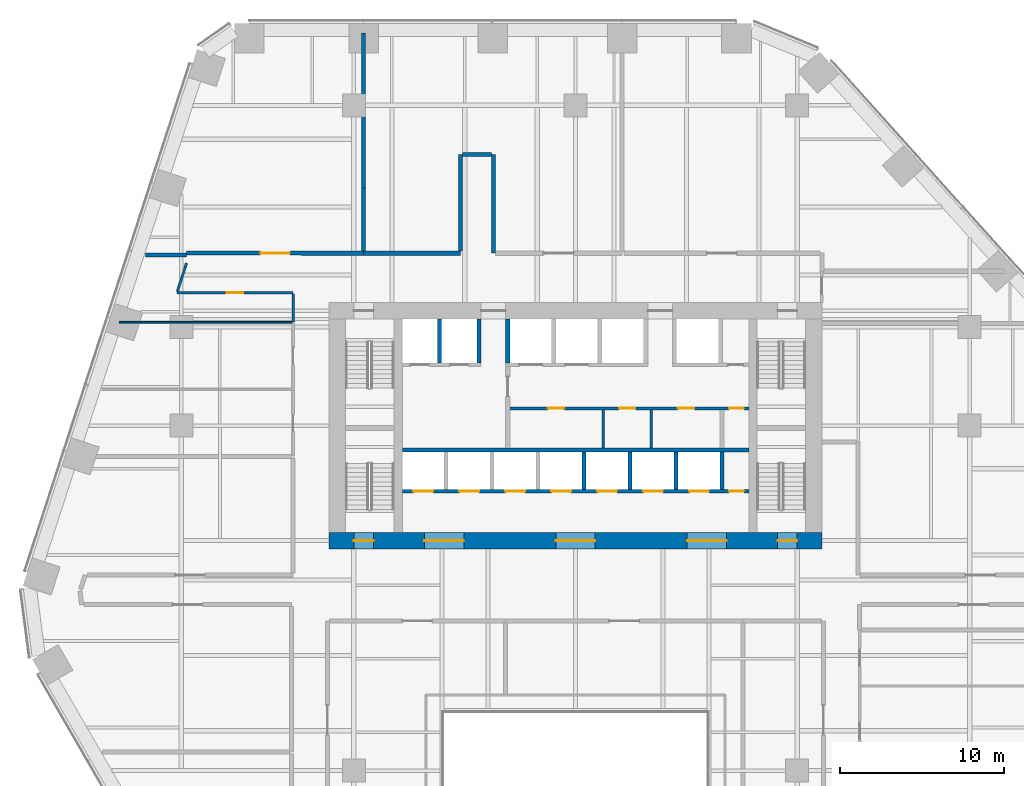
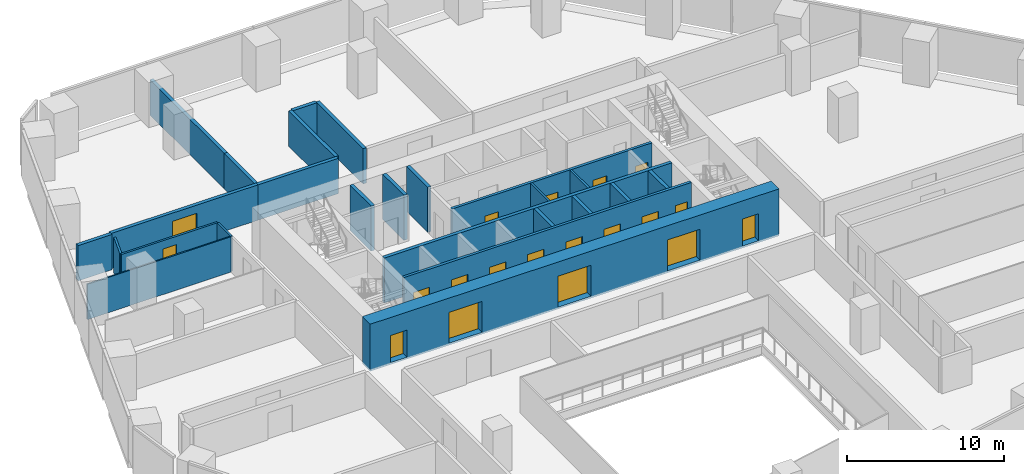
# One storey, part 15 of 20: 25 walls, 19 doors, 19 openings.
"""IFC4 building model written with IfcOpenShell, lengths in metres."""

import ifcopenshell
import ifcopenshell.guid

model = None  # the IFC model being written
_history = None  # IfcOwnerHistory: only IFC2X3 demands one
_inside = {}  # id of a spatial element -> (the spatial element, [elements in it])
_under = {}  # id of a project, library or spatial element -> (it, [spatial elements below it])
_declared = {}  # id of a project -> (the project, [libraries it declares])
_typed = {}  # id of a type object -> (the type object, [elements of that type])
_made_of = {}  # id of a material, layer set ... -> (it, [elements and type objects made of it])


def new_model(schema):
    """Start an empty IFC model of exactly this schema.

    Asked for "IFC4X3", IfcOpenShell would pick the latest addendum, in which some entities
    have other attributes; the version numbers below select the first issue.
    IFC2X3 requires an IfcOwnerHistory on every rooted entity: one is made here for all.
    """
    global model, _history
    if schema == "IFC4X3":
        model = ifcopenshell.file(schema_version=(4, 3, 0, 0))
    else:
        model = ifcopenshell.file(schema=schema)
    _inside.clear()
    _under.clear()
    _declared.clear()
    _typed.clear()
    _made_of.clear()
    _history = None
    if model.schema == "IFC2X3":
        org = make("IfcOrganization", Name="unknown")
        user = make(
            "IfcPersonAndOrganization",
            ThePerson=make("IfcPerson", FamilyName="unknown"),
            TheOrganization=org,
        )
        app = make(
            "IfcApplication",
            ApplicationDeveloper=org,
            Version="unknown",
            ApplicationFullName="unknown",
            ApplicationIdentifier="unknown",
        )
        _history = make(
            "IfcOwnerHistory",
            OwningUser=user,
            OwningApplication=app,
            ChangeAction="ADDED",
            CreationDate=0,
        )
    return model


def make(cls, **values):
    """One entity of the class cls with the attributes given. An attribute that is None is left unset."""
    return model.create_entity(
        cls, **{name: value for name, value in values.items() if value is not None}
    )


def rooted(cls, **values):
    """An entity with a GlobalId (a new one), such as an element, a storey or a relation."""
    return make(cls, GlobalId=ifcopenshell.guid.new(), OwnerHistory=_history, **values)


def si_unit(unit_type, name, prefix=None):
    """IfcSIUnit, for example si_unit("LENGTHUNIT", "METRE", prefix="MILLI")."""
    return make("IfcSIUnit", UnitType=unit_type, Prefix=prefix, Name=name)


def assignment(units):
    """IfcUnitAssignment: the units of a project."""
    return None if units is None else make("IfcUnitAssignment", Units=units)


def point(xyz):
    """IfcCartesianPoint."""
    return None if xyz is None else make("IfcCartesianPoint", Coordinates=xyz)


def direction(xyz):
    """IfcDirection."""
    return None if xyz is None else make("IfcDirection", DirectionRatios=xyz)


def frame(location, z_axis=None, x_axis=None):
    """IfcAxis2Placement3D, a coordinate frame: its origin and axes. An axis left out is left unset."""
    return make(
        "IfcAxis2Placement3D",
        Location=point(location),
        Axis=direction(z_axis),
        RefDirection=direction(x_axis),
    )


def frame_2d(location, x_axis=None):
    """IfcAxis2Placement2D, a coordinate frame in the plane: its origin and x axis."""
    return make(
        "IfcAxis2Placement2D", Location=point(location), RefDirection=direction(x_axis)
    )


def origin():
    """The frame at (0, 0, 0) with its axes left unset."""
    return frame((0.0, 0.0, 0.0))


def place(relative_to, where):
    """IfcLocalPlacement: puts the frame where relative to a parent placement (None: the world)."""
    return make(
        "IfcLocalPlacement", PlacementRelTo=relative_to, RelativePlacement=where
    )


def context(
    kind, dimensions, precision=None, world=None, true_north=None, identifier=None
):
    """IfcGeometricRepresentationContext, for example the 3D "Model" context."""
    return make(
        "IfcGeometricRepresentationContext",
        ContextIdentifier=identifier,
        ContextType=kind,
        CoordinateSpaceDimension=dimensions,
        Precision=precision,
        WorldCoordinateSystem=world,
        TrueNorth=true_north,
    )


def subcontext(parent, identifier, kind, view, scale=None):
    """IfcGeometricRepresentationSubContext, for example "Body" below "Model"."""
    return make(
        "IfcGeometricRepresentationSubContext",
        ContextIdentifier=identifier,
        ContextType=kind,
        ParentContext=parent,
        TargetScale=scale,
        TargetView=view,
    )


def project(units=None, contexts=None):
    """IfcProject with its units and contexts."""
    return rooted(
        "IfcProject",
        Name="project",
        RepresentationContexts=contexts,
        UnitsInContext=assignment(units),
    )


def spatial(cls, under=None, at=None, **own):
    """A site, building, storey or space (cls), placed at a placement, below another one or the project."""
    s = rooted(cls, ObjectPlacement=at, **own)
    if under is not None:
        _under.setdefault(under.id(), (under, []))[1].append(s)
    return s


def profile(cls, at=None, kind="AREA", **sizes):
    """A parametric profile (cls). Its sizes go by their IFC names, for example OverallWidth=200.0."""
    return make(cls, ProfileType=kind, Position=at, **sizes)


def rectangle(**sizes):
    """IfcRectangleProfileDef."""
    return profile("IfcRectangleProfileDef", **sizes)


def extrude(swept, where, along, depth):
    """IfcExtrudedAreaSolid: the profile swept, set in the frame where, extruded along a direction by depth."""
    return make(
        "IfcExtrudedAreaSolid",
        SweptArea=swept,
        Position=where,
        ExtrudedDirection=direction(along),
        Depth=depth,
    )


def shape(context_of_items, identifier, shape_type, items):
    """IfcShapeRepresentation: the items that make up one representation, for example the "Body"."""
    return make(
        "IfcShapeRepresentation",
        ContextOfItems=context_of_items,
        RepresentationIdentifier=identifier,
        RepresentationType=shape_type,
        Items=items,
    )


def material(Name=None, Category=None):
    """IfcMaterial."""
    return make("IfcMaterial", Name=Name, Category=Category)


def layer(
    of_material, thickness, ventilated=None, Name=None, Category=None, Priority=None
):
    """IfcMaterialLayer: one layer of a wall or slab, of a material (None: an air gap)."""
    return make(
        "IfcMaterialLayer",
        Material=of_material,
        LayerThickness=thickness,
        IsVentilated=ventilated,
        Name=Name,
        Category=Category,
        Priority=Priority,
    )


def layer_set(layers, Name=None):
    """IfcMaterialLayerSet."""
    return make("IfcMaterialLayerSet", MaterialLayers=layers, LayerSetName=Name)


def made_of(thing, what):
    """Note that an element or type object is made of a material, layer set ...; save() writes the relation."""
    if what is not None:
        _made_of.setdefault(what.id(), (what, []))[1].append(thing)
    return thing


def type_object(cls, material=None, **own):
    """A type object (cls), such as IfcWallType, which elements share."""
    return made_of(rooted(cls, **own), material)


def element(
    cls,
    number,
    at=None,
    inside=None,
    cuts=None,
    type_object=None,
    material=None,
    context=None,
    identifier="Body",
    shape_type=None,
    held_by="IfcProductDefinitionShape",
    body=None,
    shapes=None,
    **own,
):
    """One element of the class cls, such as IfcWall. Its Tag is "e" and its number.

    at: its placement. inside: the storey or other place that contains it. cuts: it is an
    opening in that element (IfcRelVoidsElement). A single representation is given by context,
    identifier, shape_type and body (its items); several are given by shapes. held_by: the class
    of the entity that holds the representations. save() writes the other relations.
    """
    e = rooted(cls, Tag="e%d" % number, ObjectPlacement=at, **own)
    if body is not None:
        shapes = [shape(context, identifier, shape_type, body)]
    if shapes is not None:
        e.Representation = make(held_by, Representations=shapes)
    if inside is not None:
        _inside.setdefault(inside.id(), (inside, []))[1].append(e)
    if cuts is not None:
        rooted(
            "IfcRelVoidsElement", RelatingBuildingElement=cuts, RelatedOpeningElement=e
        )
    if type_object is not None:
        _typed.setdefault(type_object.id(), (type_object, []))[1].append(e)
    return made_of(e, material)


def fill(opening, filler):
    """IfcRelFillsElement: the door or window that sits in an opening."""
    return rooted(
        "IfcRelFillsElement",
        RelatingOpeningElement=opening,
        RelatedBuildingElement=filler,
    )


def aggregate(whole, parts):
    """IfcRelAggregates: a whole, such as a stair, and the parts it consists of."""
    return rooted("IfcRelAggregates", RelatingObject=whole, RelatedObjects=parts)


def save(model, path):
    """Write the relations noted so far, then the file.

    IfcRelAggregates (storeys below a building ...), IfcRelContainedInSpatialStructure (elements
    in a storey), IfcRelDefinesByType, IfcRelAssociatesMaterial and IfcRelDeclares: one each for
    every whole, place, type object, material and project.
    """
    for whole, parts in _under.values():
        aggregate(whole, parts)
    for where, things in _inside.values():
        rooted(
            "IfcRelContainedInSpatialStructure",
            RelatedElements=things,
            RelatingStructure=where,
        )
    for kind, things in _typed.values():
        rooted("IfcRelDefinesByType", RelatedObjects=things, RelatingType=kind)
    for what, things in _made_of.values():
        rooted("IfcRelAssociatesMaterial", RelatedObjects=things, RelatingMaterial=what)
    for by, libraries in _declared.values():
        rooted("IfcRelDeclares", RelatingContext=by, RelatedDefinitions=libraries)
    model.write(path)


model = new_model("IFC4")

# Units and contexts
model_context = context("Model", 3, precision=1e-05, world=origin(), true_north=direction((0.0, 1.0)))
body_context = subcontext(model_context, "Body", "Model", "MODEL_VIEW")
ifc_project = project(units=[si_unit("LENGTHUNIT", "METRE"), si_unit("AREAUNIT", "SQUARE_METRE"), si_unit("VOLUMEUNIT", "CUBIC_METRE"), si_unit("PLANEANGLEUNIT", "RADIAN"), si_unit("MASSUNIT", "GRAM", prefix="KILO")], contexts=[model_context])

# Site, building, storey
site_placement = place(None, origin())
site = spatial("IfcSite", under=ifc_project, at=site_placement, CompositionType="ELEMENT")
building_placement = place(site_placement, origin())
building = spatial("IfcBuilding", under=site, at=building_placement, Name="Isthmus Gate Tower", CompositionType="ELEMENT")
storey_placement = place(building_placement, frame((0.0, 0.0, 61.550048828125)))
storey = spatial("IfcBuildingStorey", under=building, at=storey_placement, Name="L13", CompositionType="ELEMENT", Elevation=61.550048828125)

# Wall
ifc_material_1 = material(Name="Double-leaf acoustic stud wall, fire-rated", Category="gypsum")
ifc_layer_1 = layer(ifc_material_1, 0.25)
ifc_layer_set_1 = layer_set([ifc_layer_1], Name="ACOUSTIC WALL 250 60 MIN")
wall_type_1 = type_object("IfcWallType", Name="ACOUSTIC WALL 250 60 MIN", PredefinedType="PARTITIONING", material=ifc_layer_set_1)
wall_1_placement = place(storey_placement, frame((-5.0, 24.0, 0.0), z_axis=(0.0, 0.0, 1.0), x_axis=(0.0, -1.0, 0.0)))
element("IfcWall", 1, at=wall_1_placement, inside=storey, type_object=wall_type_1, Name="L13 Acoustic Wall 250 60 Min", PredefinedType="PARTITIONING", context=body_context, shape_type="SweptSolid", body=[
    extrude(rectangle(XDim=6.0, YDim=0.25, at=frame_2d((3.0, 0.0))), origin(), (0.0, 0.0, 1.0), 2.7412109375),
])

# Wall, opening, door
wall_2_placement = place(storey_placement, frame((-23.68310546875, 18.001953125, 0.0), z_axis=(0.0, 0.0, 1.0), x_axis=(0.999999983581, -0.000181212763, 0.0)))
wall_2 = element("IfcWall", 2, at=wall_2_placement, inside=storey, type_object=wall_type_1, Name="L13 Acoustic Wall 250 60 Min", PredefinedType="PARTITIONING", context=body_context, shape_type="SweptSolid", body=[
    extrude(rectangle(XDim=10.778076171875, YDim=0.25, at=frame_2d((5.38916015625, 0.0))), origin(), (0.0, 0.0, 1.0), 2.7412109375),
])
opening_1_placement = place(wall_2_placement, frame((4.489013671875, 0.0, 0.0)))
opening_1 = element("IfcOpeningElement", 3, at=opening_1_placement, cuts=wall_2, Name="Opening DT-T1C-01", PredefinedType="OPENING", context=body_context, shape_type="SweptSolid", body=[
    extrude(rectangle(XDim=1.800048828125, YDim=2.10009765625, at=frame_2d((0.89990234375, 1.050048828125))), frame((0.0, 0.135009765625, 0.0), z_axis=(0.0, -1.0, 0.0), x_axis=(1.0, 0.0, 0.0)), (0.0, 0.0, 1.0), 0.27001953125),
])
ifc_material_2 = material(Name="Solid core timber door leaf, fire-rated", Category="wood")
door_type_1 = type_object("IfcDoorType", Name="FIRE DOOR ACOUSTIC ROOM 1800 X 2100 60 MIN", OperationType="DOUBLE_DOOR_DOUBLE_SWING", PredefinedType="DOOR", material=ifc_material_2)
door_1_placement = place(opening_1_placement, origin())
door_1 = element("IfcDoor", 4, at=door_1_placement, inside=storey, type_object=door_type_1, Name="L13 room door", OperationType="DOUBLE_DOOR_DOUBLE_SWING", OverallHeight=2.10009765625, OverallWidth=1.800048828125, PredefinedType="DOOR", context=body_context, shape_type="SweptSolid", body=[
    extrude(rectangle(XDim=1.800048828125, YDim=2.10009765625, at=frame_2d((0.89990234375, 1.050048828125))), frame((0.0, 0.02490234375, 0.0), z_axis=(0.0, -1.0, 0.0), x_axis=(1.0, 0.0, 0.0)), (0.0, 0.0, 1.0), 0.050048828125),
])
fill(opening_1, door_1)

# Walls
wall_3_placement = place(storey_placement, frame((-12.906982421875, 21.968017578125, 0.0), z_axis=(0.0, 0.0, 1.0), x_axis=(0.0, 1.0, 0.0)))
element("IfcWall", 5, at=wall_3_placement, inside=storey, type_object=wall_type_1, Name="L13 Acoustic Wall 250 60 Min", PredefinedType="PARTITIONING", context=body_context, shape_type="SweptSolid", body=[
    extrude(rectangle(XDim=9.431884765625, YDim=0.25, at=frame_2d((4.7158203125, 0.0))), origin(), (0.0, 0.0, 1.0), 2.7412109375),
])
wall_4_placement = place(storey_placement, frame((-26.169921875, 17.8828125, 0.0), z_axis=(0.0, 0.0, 1.0), x_axis=(0.999999763866, -0.000687217588, 0.0)))
element("IfcWall", 6, at=wall_4_placement, inside=storey, type_object=wall_type_1, Name="L13 Acoustic Wall 250 60 Min", PredefinedType="PARTITIONING", context=body_context, shape_type="SweptSolid", body=[
    extrude(rectangle(XDim=2.48681640625, YDim=0.25, at=frame_2d((1.243408203125, 0.0))), origin(), (0.0, 0.0, 1.0), 2.7412109375),
])
wall_5_placement = place(storey_placement, frame((-12.905029296875, 18.0, 0.0), z_axis=(0.0, 0.0, 1.0), x_axis=(1.0, 0.0, 0.0)))
element("IfcWall", 7, at=wall_5_placement, inside=storey, type_object=wall_type_1, Name="L13 Acoustic Wall 250 60 Min", PredefinedType="PARTITIONING", context=body_context, shape_type="SweptSolid", body=[
    extrude(rectangle(XDim=5.905029296875, YDim=0.25, at=frame_2d((2.95263671875, 0.0))), origin(), (0.0, 0.0, 1.0), 2.7412109375),
])
wall_6_placement = place(storey_placement, frame((-7.0, 18.125, 0.0), z_axis=(0.0, 0.0, 1.0), x_axis=(0.0, 1.0, 0.0)))
element("IfcWall", 8, at=wall_6_placement, inside=storey, type_object=wall_type_1, Name="L13 Acoustic Wall 250 60 Min", PredefinedType="PARTITIONING", context=body_context, shape_type="SweptSolid", body=[
    extrude(rectangle(XDim=5.875, YDim=0.25, at=frame_2d((2.9375, 0.0))), origin(), (0.0, 0.0, 1.0), 2.7412109375),
])
wall_7_placement = place(storey_placement, frame((-6.875, 24.0, 0.0), z_axis=(0.0, 0.0, 1.0), x_axis=(1.0, 0.0, 0.0)))
element("IfcWall", 9, at=wall_7_placement, inside=storey, type_object=wall_type_1, Name="L13 Acoustic Wall 250 60 Min", PredefinedType="PARTITIONING", context=body_context, shape_type="SweptSolid", body=[
    extrude(rectangle(XDim=1.75, YDim=0.25, at=frame_2d((0.875, 0.0))), origin(), (0.0, 0.0, 1.0), 2.7412109375),
])
wall_8_placement = place(storey_placement, frame((-12.906982421875, 21.968017578125, 0.0), z_axis=(0.0, 0.0, 1.0), x_axis=(0.000508226858, -0.999999870853, 0.0)))
element("IfcWall", 10, at=wall_8_placement, inside=storey, type_object=wall_type_1, Name="L13 Acoustic Wall 250 60 Min", PredefinedType="PARTITIONING", context=body_context, shape_type="SweptSolid", body=[
    extrude(rectangle(XDim=3.843017578125, YDim=0.25, at=frame_2d((1.92138671875, 0.0))), origin(), (0.0, 0.0, 1.0), 2.7412109375),
])

# Wall, opening, door
ifc_material_3 = material(Name="Gypsum board on steel studs, fire-rated", Category="steel")
ifc_layer_2 = layer(ifc_material_3, 0.14990234375)
ifc_layer_set_2 = layer_set([ifc_layer_2], Name="CORRIDOR WALL 150 60 MIN")
wall_type_2 = type_object("IfcWallType", Name="CORRIDOR WALL 150 60 MIN", PredefinedType="PARTITIONING", material=ifc_layer_set_2)
wall_9_placement = place(storey_placement, frame((-17.199951171875, 15.60009765625, 0.0), z_axis=(0.0, 0.0, 1.0), x_axis=(-1.0, 0.0, 0.0)))
wall_9 = element("IfcWall", 11, at=wall_9_placement, inside=storey, type_object=wall_type_2, Name="L13 Corridor Wall 150 60 Min", PredefinedType="PARTITIONING", context=body_context, shape_type="SweptSolid", body=[
    extrude(rectangle(XDim=7.068115234375, YDim=0.14990234375, at=frame_2d((3.5341796875, 0.0))), origin(), (0.0, 0.0, 1.0), 2.7412109375),
])
opening_2_placement = place(wall_9_placement, frame((3.033935546875, 0.0, 0.0)))
opening_2 = element("IfcOpeningElement", 12, at=opening_2_placement, cuts=wall_9, Name="Opening DT-T1C-04", PredefinedType="OPENING", context=body_context, shape_type="SweptSolid", body=[
    extrude(rectangle(XDim=1.0, YDim=2.10009765625, at=frame_2d((0.5, 1.050048828125))), frame((0.0, 0.0849609375, 0.0), z_axis=(0.0, -1.0, 0.0), x_axis=(1.0, 0.0, 0.0)), (0.0, 0.0, 1.0), 0.169921875),
])
ifc_material_4 = material(Name="Solid core timber door leaf, fire-rated", Category="wood")
door_type_2 = type_object("IfcDoorType", Name="FIRE DOOR ROOM 1000 X 2100 60 MIN", OperationType="SINGLE_SWING_LEFT", PredefinedType="DOOR", material=ifc_material_4)
door_2_placement = place(opening_2_placement, origin())
door_2 = element("IfcDoor", 13, at=door_2_placement, inside=storey, type_object=door_type_2, Name="L13 room door", OperationType="SINGLE_SWING_RIGHT", OverallHeight=2.10009765625, OverallWidth=1.0, PredefinedType="DOOR", context=body_context, shape_type="SweptSolid", body=[
    extrude(rectangle(XDim=1.0, YDim=2.10009765625, at=frame_2d((0.5, 1.050048828125))), frame((0.0, 0.02490234375, 0.0), z_axis=(0.0, -1.0, 0.0), x_axis=(1.0, 0.0, 0.0)), (0.0, 0.0, 1.0), 0.050048828125),
])
fill(opening_2, door_2)

# Walls
wall_10_placement = place(storey_placement, frame((-24.244873046875, 15.67138671875, 0.0), z_axis=(0.0, 0.0, 1.0), x_axis=(0.309086072338, 0.951034068731, 0.0)))
element("IfcWall", 14, at=wall_10_placement, inside=storey, type_object=wall_type_2, Name="L13 Corridor Wall 150 60 Min", PredefinedType="PARTITIONING", context=body_context, shape_type="SweptSolid", body=[
    extrude(rectangle(XDim=1.817626953125, YDim=0.14990234375, at=frame_2d((0.90869140625, 0.0))), origin(), (0.0, 0.0, 1.0), 2.7412109375),
])
wall_11_placement = place(storey_placement, frame((-17.199951171875, 13.799072265625, 0.0), z_axis=(0.0, 0.0, 1.0), x_axis=(0.0, 1.0, 0.0)))
element("IfcWall", 15, at=wall_11_placement, inside=storey, type_object=wall_type_2, Name="L13 Corridor Wall 150 60 Min", PredefinedType="PARTITIONING", context=body_context, shape_type="SweptSolid", body=[
    extrude(rectangle(XDim=1.725830078125, YDim=0.14990234375, at=frame_2d((0.86279296875, 0.0))), origin(), (0.0, 0.0, 1.0), 2.7412109375),
])

# Wall, openings, doors
ifc_material_5 = material(Name="Concrete f'c 70 MPa", Category="concrete")
ifc_layer_3 = layer(ifc_material_5, 1.0)
ifc_layer_set_3 = layer_set([ifc_layer_3], Name="RC CORE WALL 1000 F'C 70")
wall_type_3 = type_object("IfcWallType", Name="RC CORE WALL 1000 F'C 70", PredefinedType="SOLIDWALL", material=ifc_layer_set_3)
wall_12_placement = place(storey_placement, frame((-15.0, 0.5, -0.150146484375), z_axis=(0.0, 0.0, 1.0), x_axis=(1.0, 0.0, 0.0)))
wall_12 = element("IfcWall", 16, at=wall_12_placement, inside=storey, type_object=wall_type_3, Name="str-corewall-L13-S", PredefinedType="SOLIDWALL", context=body_context, shape_type="SweptSolid", body=[
    extrude(rectangle(XDim=30.0, YDim=1.0, at=frame_2d((15.0, 0.0))), origin(), (0.0, 0.0, 1.0), 3.650146484375),
])
opening_3_placement = place(wall_12_placement, frame((5.800048828125, 0.0, 0.14990234375)))
opening_3 = element("IfcOpeningElement", 17, at=opening_3_placement, cuts=wall_12, Name="Opening DC-A02-08", PredefinedType="OPENING", context=body_context, shape_type="SweptSolid", body=[
    extrude(rectangle(XDim=2.39990234375, YDim=2.39990234375, at=frame_2d((1.199951171875, 1.199951171875))), frame((0.0, 0.510009765625, 0.0), z_axis=(0.0, -1.0, 0.0), x_axis=(1.0, 0.0, 0.0)), (0.0, 0.0, 1.0), 1.02001953125),
])
opening_4_placement = place(wall_12_placement, frame((13.800048828125, 0.0, 0.14990234375)))
opening_4 = element("IfcOpeningElement", 18, at=opening_4_placement, cuts=wall_12, Name="Opening DC-A02-09", PredefinedType="OPENING", context=body_context, shape_type="SweptSolid", body=[
    extrude(rectangle(XDim=2.39990234375, YDim=2.39990234375, at=frame_2d((1.199951171875, 1.199951171875))), frame((0.0, 0.510009765625, 0.0), z_axis=(0.0, -1.0, 0.0), x_axis=(1.0, 0.0, 0.0)), (0.0, 0.0, 1.0), 1.02001953125),
])
opening_5_placement = place(wall_12_placement, frame((21.800048828125, 0.0, 0.14990234375)))
opening_5 = element("IfcOpeningElement", 19, at=opening_5_placement, cuts=wall_12, Name="Opening DC-A02-10", PredefinedType="OPENING", context=body_context, shape_type="SweptSolid", body=[
    extrude(rectangle(XDim=2.39990234375, YDim=2.39990234375, at=frame_2d((1.199951171875, 1.199951171875))), frame((0.0, 0.510009765625, 0.0), z_axis=(0.0, -1.0, 0.0), x_axis=(1.0, 0.0, 0.0)), (0.0, 0.0, 1.0), 1.02001953125),
])
opening_6_placement = place(wall_12_placement, frame((1.5, 0.0, 0.14990234375)))
opening_6 = element("IfcOpeningElement", 20, at=opening_6_placement, cuts=wall_12, Name="Opening DC-A02-15", PredefinedType="OPENING", context=body_context, shape_type="SweptSolid", body=[
    extrude(rectangle(XDim=1.199951171875, YDim=2.10009765625, at=frame_2d((0.60009765625, 1.050048828125))), frame((0.0, 0.510009765625, 0.0), z_axis=(0.0, -1.0, 0.0), x_axis=(1.0, 0.0, 0.0)), (0.0, 0.0, 1.0), 1.02001953125),
])
opening_7_placement = place(wall_12_placement, frame((27.300048828125, 0.0, 0.14990234375)))
opening_7 = element("IfcOpeningElement", 21, at=opening_7_placement, cuts=wall_12, Name="Opening DC-A02-16", PredefinedType="OPENING", context=body_context, shape_type="SweptSolid", body=[
    extrude(rectangle(XDim=1.199951171875, YDim=2.10009765625, at=frame_2d((0.60009765625, 1.050048828125))), frame((0.0, 0.510009765625, 0.0), z_axis=(0.0, -1.0, 0.0), x_axis=(1.0, 0.0, 0.0)), (0.0, 0.0, 1.0), 1.02001953125),
])
ifc_material_6 = material(Name="Laminated safety glass in steel frame, fire-rated", Category="steel")
door_type_3 = type_object("IfcDoorType", Name="LOBBY ENTRANCE FIRE DOOR 2400 X 2400 60 MIN", OperationType="DOUBLE_DOOR_DOUBLE_SWING", PredefinedType="DOOR", material=ifc_material_6)
door_3_placement = place(opening_3_placement, origin())
door_3 = element("IfcDoor", 22, at=door_3_placement, inside=storey, type_object=door_type_3, Name="Lobby Entrance PS-W", OperationType="DOUBLE_DOOR_DOUBLE_SWING", OverallHeight=2.39990234375, OverallWidth=2.39990234375, PredefinedType="DOOR", context=body_context, shape_type="SweptSolid", body=[
    extrude(rectangle(XDim=2.39990234375, YDim=2.39990234375, at=frame_2d((1.199951171875, 1.199951171875))), frame((0.0, 0.02490234375, 0.0), z_axis=(0.0, -1.0, 0.0), x_axis=(1.0, 0.0, 0.0)), (0.0, 0.0, 1.0), 0.050048828125),
])
fill(opening_3, door_3)
door_4_placement = place(opening_4_placement, origin())
door_4 = element("IfcDoor", 23, at=door_4_placement, inside=storey, type_object=door_type_3, Name="Lobby Entrance PS-C", OperationType="DOUBLE_DOOR_DOUBLE_SWING", OverallHeight=2.39990234375, OverallWidth=2.39990234375, PredefinedType="DOOR", context=body_context, shape_type="SweptSolid", body=[
    extrude(rectangle(XDim=2.39990234375, YDim=2.39990234375, at=frame_2d((1.199951171875, 1.199951171875))), frame((0.0, 0.02490234375, 0.0), z_axis=(0.0, -1.0, 0.0), x_axis=(1.0, 0.0, 0.0)), (0.0, 0.0, 1.0), 0.050048828125),
])
fill(opening_4, door_4)
door_5_placement = place(opening_5_placement, origin())
door_5 = element("IfcDoor", 24, at=door_5_placement, inside=storey, type_object=door_type_3, Name="Lobby Entrance PS-E", OperationType="DOUBLE_DOOR_DOUBLE_SWING", OverallHeight=2.39990234375, OverallWidth=2.39990234375, PredefinedType="DOOR", context=body_context, shape_type="SweptSolid", body=[
    extrude(rectangle(XDim=2.39990234375, YDim=2.39990234375, at=frame_2d((1.199951171875, 1.199951171875))), frame((0.0, 0.02490234375, 0.0), z_axis=(0.0, -1.0, 0.0), x_axis=(1.0, 0.0, 0.0)), (0.0, 0.0, 1.0), 0.050048828125),
])
fill(opening_5, door_5)
ifc_material_7 = material(Name="Steel door leaf, fire-rated", Category="steel")
door_type_4 = type_object("IfcDoorType", Name="STAIR FIRE DOOR 1200 X 2100 90 MIN", OperationType="SINGLE_SWING_LEFT", PredefinedType="DOOR", material=ifc_material_7)
door_6_placement = place(opening_6_placement, origin())
door_6 = element("IfcDoor", 25, at=door_6_placement, inside=storey, type_object=door_type_4, Name="Exit Stair 7 Door", OperationType="SINGLE_SWING_LEFT", OverallHeight=2.10009765625, OverallWidth=1.199951171875, PredefinedType="DOOR", context=body_context, shape_type="SweptSolid", body=[
    extrude(rectangle(XDim=1.199951171875, YDim=2.10009765625, at=frame_2d((0.60009765625, 1.050048828125))), frame((0.0, 0.02490234375, 0.0), z_axis=(0.0, -1.0, 0.0), x_axis=(1.0, 0.0, 0.0)), (0.0, 0.0, 1.0), 0.050048828125),
])
fill(opening_6, door_6)
door_7_placement = place(opening_7_placement, origin())
door_7 = element("IfcDoor", 26, at=door_7_placement, inside=storey, type_object=door_type_4, Name="Exit Stair 8 Door", OperationType="SINGLE_SWING_RIGHT", OverallHeight=2.10009765625, OverallWidth=1.199951171875, PredefinedType="DOOR", context=body_context, shape_type="SweptSolid", body=[
    extrude(rectangle(XDim=1.199951171875, YDim=2.10009765625, at=frame_2d((0.60009765625, 1.050048828125))), frame((0.0, 0.02490234375, 0.0), z_axis=(0.0, -1.0, 0.0), x_axis=(1.0, 0.0, 0.0)), (0.0, 0.0, 1.0), 0.050048828125),
])
fill(opening_7, door_7)

# Walls
ifc_material_8 = material(Name="Gypsum board on steel studs, fire-rated", Category="steel")
ifc_layer_4 = layer(ifc_material_8, 0.10009765625)
ifc_layer_set_4 = layer_set([ifc_layer_4], Name="ROOM PARTITION 100 30 MIN")
wall_type_4 = type_object("IfcWallType", Name="ROOM PARTITION 100 30 MIN", PredefinedType="PARTITIONING", material=ifc_layer_set_4)
wall_13_placement = place(storey_placement, frame((-27.797119140625, 13.799072265625, 0.0), z_axis=(0.0, 0.0, 1.0), x_axis=(1.0, 0.0, 0.0)))
element("IfcWall", 27, at=wall_13_placement, inside=storey, type_object=wall_type_4, Name="L13 Room Partition 100 30 Min", PredefinedType="PARTITIONING", context=body_context, shape_type="SweptSolid", body=[
    extrude(rectangle(XDim=10.522216796875, YDim=0.10009765625, at=frame_2d((5.26123046875, 0.0))), origin(), (0.0, 0.0, 1.0), 2.7412109375),
])
ifc_material_9 = material(Name="Gypsum board on steel studs, fire-rated", Category="steel")
ifc_layer_5 = layer(ifc_material_9, 0.14990234375)
ifc_layer_set_5 = layer_set([ifc_layer_5], Name="ROOM PARTITION 150 60 MIN")
wall_type_5 = type_object("IfcWallType", Name="ROOM PARTITION 150 60 MIN", PredefinedType="PARTITIONING", material=ifc_layer_set_5)
for number, where, z_axis, x_axis, name in (
    (28, (1.699951171875, 6.14990234375, 0.0), (0.0, 0.0, 1.0), (0.0, 1.0, 0.0), "L13 ROOM PARTITION 150 60 MIN"),
    (29, (4.60009765625, 6.14990234375, 0.0), (0.0, 0.0, 1.0), (0.0, 1.0, 0.0), "L13 ROOM PARTITION 150 60 MIN"),
):
    element("IfcWall", number, at=place(storey_placement, frame(where, z_axis=z_axis, x_axis=x_axis)), inside=storey, type_object=wall_type_5, Name=name, PredefinedType="PARTITIONING", context=body_context, shape_type="SweptSolid", body=[
        extrude(rectangle(XDim=2.300048828125, YDim=0.14990234375, at=frame_2d((1.14990234375, 0.0))), origin(), (0.0, 0.0, 1.0), 3.5),
    ])

# Wall, openings, doors
ifc_material_10 = material(Name="Fire-rated blockwork masonry, 15 MPa", Category="masonry")
ifc_layer_6 = layer(ifc_material_10, 0.199951171875)
ifc_layer_set_6 = layer_set([ifc_layer_6], Name="SHAFT FRONT WALL 200 120 MIN")
wall_type_6 = type_object("IfcWallType", Name="SHAFT FRONT WALL 200 120 MIN", PredefinedType="PARTITIONING", material=ifc_layer_set_6)
wall_14_placement = place(storey_placement, frame((-10.550048828125, 3.5, 0.0), z_axis=(0.0, 0.0, 1.0), x_axis=(1.0, 0.0, 0.0)))
wall_14 = element("IfcWall", 30, at=wall_14_placement, inside=storey, type_object=wall_type_6, Name="L13 SHAFT FRONT WALL 200 120 MIN", PredefinedType="PARTITIONING", context=body_context, shape_type="SweptSolid", body=[
    extrude(rectangle(XDim=21.10009765625, YDim=0.199951171875, at=frame_2d((10.550048828125, 0.0))), origin(), (0.0, 0.0, 1.0), 3.5),
])
opening_8_placement = place(wall_14_placement, frame((0.675048828125, 0.0, 0.0)))
opening_8 = element("IfcOpeningElement", 31, at=opening_8_placement, cuts=wall_14, Name="Opening LD-LA1", PredefinedType="OPENING", context=body_context, shape_type="SweptSolid", body=[
    extrude(rectangle(XDim=1.199951171875, YDim=2.10009765625, at=frame_2d((0.60009765625, 1.050048828125))), frame((0.0, 0.10986328125, 0.0), z_axis=(0.0, -1.0, 0.0), x_axis=(1.0, 0.0, 0.0)), (0.0, 0.0, 1.0), 0.219970703125),
])
opening_9_placement = place(wall_14_placement, frame((3.47509765625, 0.0, 0.0)))
opening_9 = element("IfcOpeningElement", 32, at=opening_9_placement, cuts=wall_14, Name="Opening LD-LA2", PredefinedType="OPENING", context=body_context, shape_type="SweptSolid", body=[
    extrude(rectangle(XDim=1.199951171875, YDim=2.10009765625, at=frame_2d((0.60009765625, 1.050048828125))), frame((0.0, 0.10986328125, 0.0), z_axis=(0.0, -1.0, 0.0), x_axis=(1.0, 0.0, 0.0)), (0.0, 0.0, 1.0), 0.219970703125),
])
opening_10_placement = place(wall_14_placement, frame((6.27490234375, 0.0, 0.0)))
opening_10 = element("IfcOpeningElement", 33, at=opening_10_placement, cuts=wall_14, Name="Opening LD-LA3", PredefinedType="OPENING", context=body_context, shape_type="SweptSolid", body=[
    extrude(rectangle(XDim=1.199951171875, YDim=2.10009765625, at=frame_2d((0.60009765625, 1.050048828125))), frame((0.0, 0.10986328125, 0.0), z_axis=(0.0, -1.0, 0.0), x_axis=(1.0, 0.0, 0.0)), (0.0, 0.0, 1.0), 0.219970703125),
])
opening_11_placement = place(wall_14_placement, frame((9.074951171875, 0.0, 0.0)))
opening_11 = element("IfcOpeningElement", 34, at=opening_11_placement, cuts=wall_14, Name="Opening LD-LA4", PredefinedType="OPENING", context=body_context, shape_type="SweptSolid", body=[
    extrude(rectangle(XDim=1.199951171875, YDim=2.10009765625, at=frame_2d((0.60009765625, 1.050048828125))), frame((0.0, 0.10986328125, 0.0), z_axis=(0.0, -1.0, 0.0), x_axis=(1.0, 0.0, 0.0)), (0.0, 0.0, 1.0), 0.219970703125),
])
opening_12_placement = place(wall_14_placement, frame((11.875, 0.0, 0.0)))
opening_12 = element("IfcOpeningElement", 35, at=opening_12_placement, cuts=wall_14, Name="Opening LD-LA5", PredefinedType="OPENING", context=body_context, shape_type="SweptSolid", body=[
    extrude(rectangle(XDim=1.199951171875, YDim=2.10009765625, at=frame_2d((0.60009765625, 1.050048828125))), frame((0.0, 0.10986328125, 0.0), z_axis=(0.0, -1.0, 0.0), x_axis=(1.0, 0.0, 0.0)), (0.0, 0.0, 1.0), 0.219970703125),
])
opening_13_placement = place(wall_14_placement, frame((14.675048828125, 0.0, 0.0)))
opening_13 = element("IfcOpeningElement", 36, at=opening_13_placement, cuts=wall_14, Name="Opening LD-LA6", PredefinedType="OPENING", context=body_context, shape_type="SweptSolid", body=[
    extrude(rectangle(XDim=1.199951171875, YDim=2.10009765625, at=frame_2d((0.60009765625, 1.050048828125))), frame((0.0, 0.10986328125, 0.0), z_axis=(0.0, -1.0, 0.0), x_axis=(1.0, 0.0, 0.0)), (0.0, 0.0, 1.0), 0.219970703125),
])
opening_14_placement = place(wall_14_placement, frame((17.47509765625, 0.0, 0.0)))
opening_14 = element("IfcOpeningElement", 37, at=opening_14_placement, cuts=wall_14, Name="Opening LD-LA7", PredefinedType="OPENING", context=body_context, shape_type="SweptSolid", body=[
    extrude(rectangle(XDim=1.199951171875, YDim=2.10009765625, at=frame_2d((0.60009765625, 1.050048828125))), frame((0.0, 0.10986328125, 0.0), z_axis=(0.0, -1.0, 0.0), x_axis=(1.0, 0.0, 0.0)), (0.0, 0.0, 1.0), 0.219970703125),
])
opening_15_placement = place(wall_14_placement, frame((19.89990234375, 0.0, 0.0)))
opening_15 = element("IfcOpeningElement", 38, at=opening_15_placement, cuts=wall_14, Name="Opening DC-A02-02", PredefinedType="OPENING", context=body_context, shape_type="SweptSolid", body=[
    extrude(rectangle(XDim=0.89990234375, YDim=2.10009765625, at=frame_2d((0.449951171875, 1.050048828125))), frame((0.0, 0.10986328125, 0.0), z_axis=(0.0, -1.0, 0.0), x_axis=(1.0, 0.0, 0.0)), (0.0, 0.0, 1.0), 0.219970703125),
])
ifc_material_11 = material(Name="Stainless steel sliding leaf", Category="steel")
door_type_5 = type_object("IfcDoorType", Name="LIFT LANDING FIRE DOOR 1200 X 2100 90 MIN", OperationType="DOUBLE_DOOR_SLIDING", PredefinedType="DOOR", material=ifc_material_11)
door_8_placement = place(opening_8_placement, origin())
door_8 = element("IfcDoor", 39, at=door_8_placement, inside=storey, type_object=door_type_5, Name="Lift Landing Door LA1", OperationType="DOUBLE_DOOR_SLIDING", OverallHeight=2.10009765625, OverallWidth=1.199951171875, PredefinedType="DOOR", context=body_context, shape_type="SweptSolid", body=[
    extrude(rectangle(XDim=1.199951171875, YDim=2.10009765625, at=frame_2d((0.60009765625, 1.050048828125))), frame((0.0, 0.02490234375, 0.0), z_axis=(0.0, -1.0, 0.0), x_axis=(1.0, 0.0, 0.0)), (0.0, 0.0, 1.0), 0.050048828125),
])
fill(opening_8, door_8)
door_9_placement = place(opening_9_placement, origin())
door_9 = element("IfcDoor", 40, at=door_9_placement, inside=storey, type_object=door_type_5, Name="Lift Landing Door LA2", OperationType="DOUBLE_DOOR_SLIDING", OverallHeight=2.10009765625, OverallWidth=1.199951171875, PredefinedType="DOOR", context=body_context, shape_type="SweptSolid", body=[
    extrude(rectangle(XDim=1.199951171875, YDim=2.10009765625, at=frame_2d((0.60009765625, 1.050048828125))), frame((0.0, 0.02490234375, 0.0), z_axis=(0.0, -1.0, 0.0), x_axis=(1.0, 0.0, 0.0)), (0.0, 0.0, 1.0), 0.050048828125),
])
fill(opening_9, door_9)
door_10_placement = place(opening_10_placement, origin())
door_10 = element("IfcDoor", 41, at=door_10_placement, inside=storey, type_object=door_type_5, Name="Lift Landing Door LA3", OperationType="DOUBLE_DOOR_SLIDING", OverallHeight=2.10009765625, OverallWidth=1.199951171875, PredefinedType="DOOR", context=body_context, shape_type="SweptSolid", body=[
    extrude(rectangle(XDim=1.199951171875, YDim=2.10009765625, at=frame_2d((0.60009765625, 1.050048828125))), frame((0.0, 0.02490234375, 0.0), z_axis=(0.0, -1.0, 0.0), x_axis=(1.0, 0.0, 0.0)), (0.0, 0.0, 1.0), 0.050048828125),
])
fill(opening_10, door_10)
door_11_placement = place(opening_11_placement, origin())
door_11 = element("IfcDoor", 42, at=door_11_placement, inside=storey, type_object=door_type_5, Name="Lift Landing Door LA4", OperationType="DOUBLE_DOOR_SLIDING", OverallHeight=2.10009765625, OverallWidth=1.199951171875, PredefinedType="DOOR", context=body_context, shape_type="SweptSolid", body=[
    extrude(rectangle(XDim=1.199951171875, YDim=2.10009765625, at=frame_2d((0.60009765625, 1.050048828125))), frame((0.0, 0.02490234375, 0.0), z_axis=(0.0, -1.0, 0.0), x_axis=(1.0, 0.0, 0.0)), (0.0, 0.0, 1.0), 0.050048828125),
])
fill(opening_11, door_11)
door_12_placement = place(opening_12_placement, origin())
door_12 = element("IfcDoor", 43, at=door_12_placement, inside=storey, type_object=door_type_5, Name="Lift Landing Door LA5", OperationType="DOUBLE_DOOR_SLIDING", OverallHeight=2.10009765625, OverallWidth=1.199951171875, PredefinedType="DOOR", context=body_context, shape_type="SweptSolid", body=[
    extrude(rectangle(XDim=1.199951171875, YDim=2.10009765625, at=frame_2d((0.60009765625, 1.050048828125))), frame((0.0, 0.02490234375, 0.0), z_axis=(0.0, -1.0, 0.0), x_axis=(1.0, 0.0, 0.0)), (0.0, 0.0, 1.0), 0.050048828125),
])
fill(opening_12, door_12)
door_13_placement = place(opening_13_placement, origin())
door_13 = element("IfcDoor", 44, at=door_13_placement, inside=storey, type_object=door_type_5, Name="Lift Landing Door LA6", OperationType="DOUBLE_DOOR_SLIDING", OverallHeight=2.10009765625, OverallWidth=1.199951171875, PredefinedType="DOOR", context=body_context, shape_type="SweptSolid", body=[
    extrude(rectangle(XDim=1.199951171875, YDim=2.10009765625, at=frame_2d((0.60009765625, 1.050048828125))), frame((0.0, 0.02490234375, 0.0), z_axis=(0.0, -1.0, 0.0), x_axis=(1.0, 0.0, 0.0)), (0.0, 0.0, 1.0), 0.050048828125),
])
fill(opening_13, door_13)
door_14_placement = place(opening_14_placement, origin())
door_14 = element("IfcDoor", 45, at=door_14_placement, inside=storey, type_object=door_type_5, Name="Lift Landing Door LA7", OperationType="DOUBLE_DOOR_SLIDING", OverallHeight=2.10009765625, OverallWidth=1.199951171875, PredefinedType="DOOR", context=body_context, shape_type="SweptSolid", body=[
    extrude(rectangle(XDim=1.199951171875, YDim=2.10009765625, at=frame_2d((0.60009765625, 1.050048828125))), frame((0.0, 0.02490234375, 0.0), z_axis=(0.0, -1.0, 0.0), x_axis=(1.0, 0.0, 0.0)), (0.0, 0.0, 1.0), 0.050048828125),
])
fill(opening_14, door_14)
ifc_material_12 = material(Name="Steel door leaf, fire-rated", Category="steel")
door_type_6 = type_object("IfcDoorType", Name="RISER FIRE DOOR 900 X 2100 90 MIN", OperationType="SINGLE_SWING_LEFT", PredefinedType="DOOR", material=ifc_material_12)
door_15_placement = place(opening_15_placement, origin())
door_15 = element("IfcDoor", 46, at=door_15_placement, inside=storey, type_object=door_type_6, Name="Riser Door", OperationType="SINGLE_SWING_RIGHT", OverallHeight=2.10009765625, OverallWidth=0.89990234375, PredefinedType="DOOR", context=body_context, shape_type="SweptSolid", body=[
    extrude(rectangle(XDim=0.89990234375, YDim=2.10009765625, at=frame_2d((0.449951171875, 1.050048828125))), frame((0.0, 0.02490234375, 0.0), z_axis=(0.0, -1.0, 0.0), x_axis=(1.0, 0.0, 0.0)), (0.0, 0.0, 1.0), 0.050048828125),
])
fill(opening_15, door_15)

wall_15_placement = place(storey_placement, frame((-4.125, 8.550048828125, 0.0), z_axis=(0.0, 0.0, 1.0), x_axis=(1.0, 0.0, 0.0)))
wall_15 = element("IfcWall", 47, at=wall_15_placement, inside=storey, type_object=wall_type_6, Name="L13 SHAFT FRONT WALL 200 120 MIN", PredefinedType="PARTITIONING", context=body_context, shape_type="SweptSolid", body=[
    extrude(rectangle(XDim=14.675048828125, YDim=0.199951171875, at=frame_2d((7.33740234375, 0.0))), origin(), (0.0, 0.0, 1.0), 3.5),
])
opening_16_placement = place(wall_15_placement, frame((2.4375, 0.0, 0.0)))
opening_16 = element("IfcOpeningElement", 48, at=opening_16_placement, cuts=wall_15, Name="Opening DC-A02-03", PredefinedType="OPENING", context=body_context, shape_type="SweptSolid", body=[
    extrude(rectangle(XDim=1.0, YDim=2.10009765625, at=frame_2d((0.5, 1.050048828125))), frame((0.0, 0.10986328125, 0.0), z_axis=(0.0, -1.0, 0.0), x_axis=(1.0, 0.0, 0.0)), (0.0, 0.0, 1.0), 0.219970703125),
])
opening_17_placement = place(wall_15_placement, frame((6.77490234375, 0.0, 0.0)))
opening_17 = element("IfcOpeningElement", 49, at=opening_17_placement, cuts=wall_15, Name="Opening DC-A02-04", PredefinedType="OPENING", context=body_context, shape_type="SweptSolid", body=[
    extrude(rectangle(XDim=1.0, YDim=2.10009765625, at=frame_2d((0.5, 1.050048828125))), frame((0.0, 0.10986328125, 0.0), z_axis=(0.0, -1.0, 0.0), x_axis=(1.0, 0.0, 0.0)), (0.0, 0.0, 1.0), 0.219970703125),
])
opening_18_placement = place(wall_15_placement, frame((10.362548828125, 0.0, 0.0)))
opening_18 = element("IfcOpeningElement", 50, at=opening_18_placement, cuts=wall_15, Name="Opening DC-A02-05", PredefinedType="OPENING", context=body_context, shape_type="SweptSolid", body=[
    extrude(rectangle(XDim=1.0, YDim=2.10009765625, at=frame_2d((0.5, 1.050048828125))), frame((0.0, 0.10986328125, 0.0), z_axis=(0.0, -1.0, 0.0), x_axis=(1.0, 0.0, 0.0)), (0.0, 0.0, 1.0), 0.219970703125),
])
opening_19_placement = place(wall_15_placement, frame((13.47509765625, 0.0, 0.0)))
opening_19 = element("IfcOpeningElement", 51, at=opening_19_placement, cuts=wall_15, Name="Opening DC-A02-06", PredefinedType="OPENING", context=body_context, shape_type="SweptSolid", body=[
    extrude(rectangle(XDim=0.89990234375, YDim=2.10009765625, at=frame_2d((0.449951171875, 1.050048828125))), frame((0.0, 0.10986328125, 0.0), z_axis=(0.0, -1.0, 0.0), x_axis=(1.0, 0.0, 0.0)), (0.0, 0.0, 1.0), 0.219970703125),
])
ifc_material_13 = material(Name="Steel door leaf, fire-rated", Category="steel")
door_type_7 = type_object("IfcDoorType", Name="FIRE DOOR 1000 X 2100 60 MIN", OperationType="SINGLE_SWING_LEFT", PredefinedType="DOOR", material=ifc_material_13)
door_16_placement = place(opening_16_placement, origin())
door_16 = element("IfcDoor", 52, at=door_16_placement, inside=storey, type_object=door_type_7, Name="WC Women Door", OperationType="SINGLE_SWING_LEFT", OverallHeight=2.10009765625, OverallWidth=1.0, PredefinedType="DOOR", context=body_context, shape_type="SweptSolid", body=[
    extrude(rectangle(XDim=1.0, YDim=2.10009765625, at=frame_2d((0.5, 1.050048828125))), frame((0.0, 0.02490234375, 0.0), z_axis=(0.0, -1.0, 0.0), x_axis=(1.0, 0.0, 0.0)), (0.0, 0.0, 1.0), 0.050048828125),
])
fill(opening_16, door_16)
door_17_placement = place(opening_17_placement, origin())
door_17 = element("IfcDoor", 53, at=door_17_placement, inside=storey, type_object=door_type_7, Name="Accessible WC Door", OperationType="SINGLE_SWING_RIGHT", OverallHeight=2.10009765625, OverallWidth=1.0, PredefinedType="DOOR", context=body_context, shape_type="SweptSolid", body=[
    extrude(rectangle(XDim=1.0, YDim=2.10009765625, at=frame_2d((0.5, 1.050048828125))), frame((0.0, 0.02490234375, 0.0), z_axis=(0.0, -1.0, 0.0), x_axis=(1.0, 0.0, 0.0)), (0.0, 0.0, 1.0), 0.050048828125),
])
fill(opening_17, door_17)
door_18_placement = place(opening_18_placement, origin())
door_18 = element("IfcDoor", 54, at=door_18_placement, inside=storey, type_object=door_type_7, Name="WC Men Door", OperationType="SINGLE_SWING_LEFT", OverallHeight=2.10009765625, OverallWidth=1.0, PredefinedType="DOOR", context=body_context, shape_type="SweptSolid", body=[
    extrude(rectangle(XDim=1.0, YDim=2.10009765625, at=frame_2d((0.5, 1.050048828125))), frame((0.0, 0.02490234375, 0.0), z_axis=(0.0, -1.0, 0.0), x_axis=(1.0, 0.0, 0.0)), (0.0, 0.0, 1.0), 0.050048828125),
])
fill(opening_18, door_18)
door_19_placement = place(opening_19_placement, origin())
door_19 = element("IfcDoor", 55, at=door_19_placement, inside=storey, type_object=door_type_6, Name="Riser Door", OperationType="SINGLE_SWING_RIGHT", OverallHeight=2.10009765625, OverallWidth=0.89990234375, PredefinedType="DOOR", context=body_context, shape_type="SweptSolid", body=[
    extrude(rectangle(XDim=0.89990234375, YDim=2.10009765625, at=frame_2d((0.449951171875, 1.050048828125))), frame((0.0, 0.02490234375, 0.0), z_axis=(0.0, -1.0, 0.0), x_axis=(1.0, 0.0, 0.0)), (0.0, 0.0, 1.0), 0.050048828125),
])
fill(opening_19, door_19)

# Walls
ifc_material_14 = material(Name="Fire-rated blockwork masonry, 15 MPa", Category="masonry")
ifc_layer_7 = layer(ifc_material_14, 0.25)
ifc_layer_set_7 = layer_set([ifc_layer_7], Name="SHAFT WALL 250 120 MIN")
wall_type_7 = type_object("IfcWallType", Name="SHAFT WALL 250 120 MIN", PredefinedType="PARTITIONING", material=ifc_layer_set_7)
wall_16_placement = place(storey_placement, frame((-10.550048828125, 6.02490234375, 0.0), z_axis=(0.0, 0.0, 1.0), x_axis=(1.0, 0.0, 0.0)))
element("IfcWall", 56, at=wall_16_placement, inside=storey, type_object=wall_type_7, Name="L13 SHAFT WALL 250 120 MIN", PredefinedType="PARTITIONING", context=body_context, shape_type="SweptSolid", body=[
    extrude(rectangle(XDim=21.10009765625, YDim=0.25, at=frame_2d((10.550048828125, 0.0))), origin(), (0.0, 0.0, 1.0), 3.5),
])
for number, where, z_axis, x_axis, name in (
    (57, (0.52490234375, 3.60009765625, 0.0), (0.0, 0.0, 1.0), (0.0, 1.0, 0.0), "L13 SHAFT WALL 250 120 MIN"),
    (58, (3.324951171875, 3.60009765625, 0.0), (0.0, 0.0, 1.0), (0.0, 1.0, 0.0), "L13 SHAFT WALL 250 120 MIN"),
    (59, (6.125, 3.60009765625, 0.0), (0.0, 0.0, 1.0), (0.0, 1.0, 0.0), "L13 SHAFT WALL 250 120 MIN"),
    (60, (8.925048828125, 3.60009765625, 0.0), (0.0, 0.0, 1.0), (0.0, 1.0, 0.0), "L13 SHAFT WALL 250 120 MIN"),
):
    element("IfcWall", number, at=place(storey_placement, frame(where, z_axis=z_axis, x_axis=x_axis)), inside=storey, type_object=wall_type_7, Name=name, PredefinedType="PARTITIONING", context=body_context, shape_type="SweptSolid", body=[
        extrude(rectangle(XDim=2.2998046875, YDim=0.25, at=frame_2d((1.14990234375, 0.0))), origin(), (0.0, 0.0, 1.0), 3.5),
    ])
for number, where, z_axis, x_axis, name in (
    (61, (-8.27490234375, 11.300048828125, 0.0), (0.0, 0.0, 1.0), (0.0, 1.0, 0.0), "L13 SHAFT WALL 250 120 MIN"),
    (62, (-5.875, 11.300048828125, 0.0), (0.0, 0.0, 1.0), (0.0, 1.0, 0.0), "L13 SHAFT WALL 250 120 MIN"),
    (63, (-4.125, 11.300048828125, 0.0), (0.0, 0.0, 1.0), (0.0, 1.0, 0.0), "L13 SHAFT WALL 250 120 MIN"),
):
    element("IfcWall", number, at=place(storey_placement, frame(where, z_axis=z_axis, x_axis=x_axis)), inside=storey, type_object=wall_type_7, Name=name, PredefinedType="PARTITIONING", context=body_context, shape_type="SweptSolid", body=[
        extrude(rectangle(XDim=2.699951171875, YDim=0.25, at=frame_2d((1.35009765625, 0.0))), origin(), (0.0, 0.0, 1.0), 3.5),
    ])

save(model, "model.ifc")
